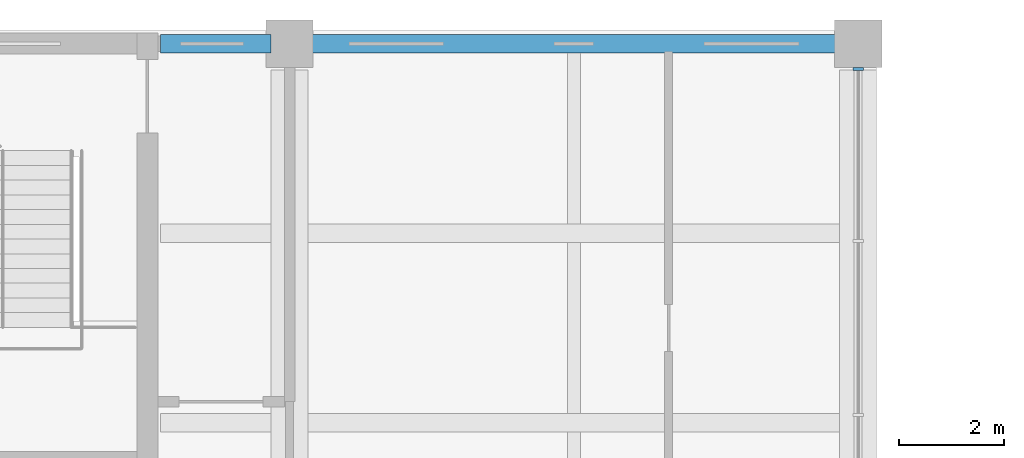
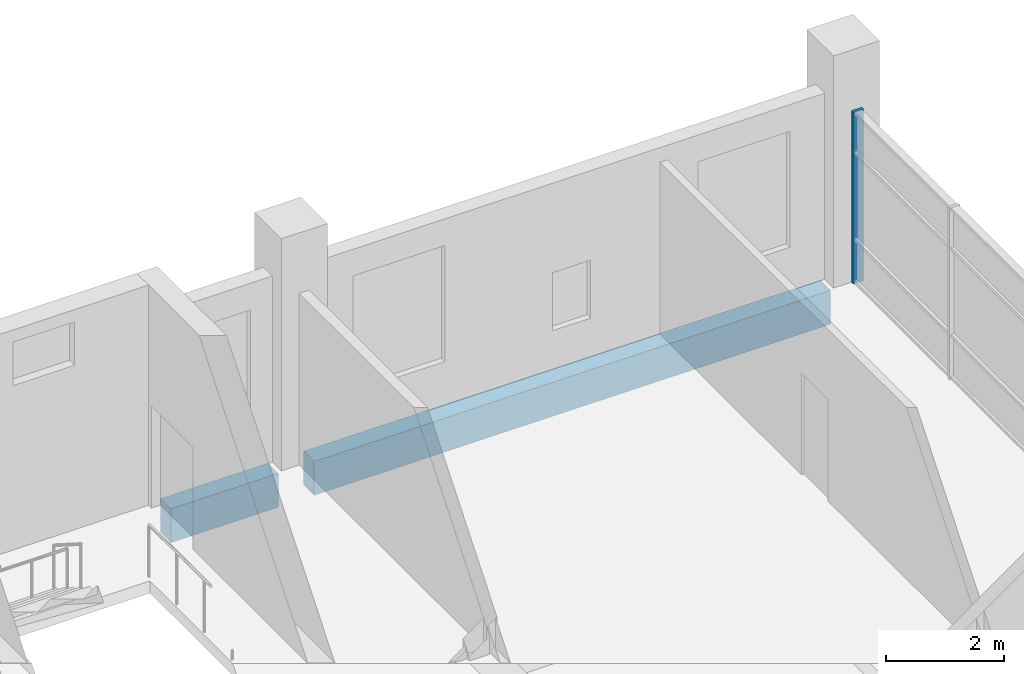
# One storey, part 17 of 32: 2 beams, 1 member, 1 element without a shape of its own.
"""IFC4 building model written with IfcOpenShell, lengths in metres."""

from ifc_helpers import new_model, si_unit, direction, frame, origin, origin_2d, place, context, subcontext, project, spatial, rectangle, extrude, material, layer, layer_set, material_profile, profile_set, type_object, element, aggregate, save


model = new_model("IFC4")

# Units and contexts
model_context = context("Model", 3, precision=1e-05, world=origin(), true_north=direction((0.0, 1.0)))
body_context = subcontext(model_context, "Body", "Model", "MODEL_VIEW")
ifc_project = project(units=[si_unit("LENGTHUNIT", "METRE"), si_unit("AREAUNIT", "SQUARE_METRE"), si_unit("VOLUMEUNIT", "CUBIC_METRE"), si_unit("PLANEANGLEUNIT", "RADIAN"), si_unit("MASSUNIT", "GRAM", prefix="KILO")], contexts=[model_context])

# Site, building, storey
site_placement = place(None, origin())
site = spatial("IfcSite", under=ifc_project, at=site_placement, CompositionType="ELEMENT")
building_placement = place(site_placement, origin())
building = spatial("IfcBuilding", under=site, at=building_placement, Name="Basin Gate Institute", CompositionType="ELEMENT")
storey_placement = place(building_placement, frame((0.0, 0.0, 41.39990234375)))
storey = spatial("IfcBuildingStorey", under=building, at=storey_placement, Name="L08", CompositionType="ELEMENT", Elevation=41.39990234375)

# Beams
ifc_material_1 = material(Name="Concrete 40 MPa", Category="concrete")
ifc_material_profile_1 = material_profile(ifc_material_1, rectangle(XDim=0.35009765625, YDim=0.699951171875, at=origin_2d()), Name="Beam B1 350 x 700")
ifc_profile_set_1 = profile_set([ifc_material_profile_1], Name="Concrete 40 MPa")
beam_type = type_object("IfcBeamType", Name="Beam B1 R120", PredefinedType="BEAM", material=ifc_profile_set_1)
beam_1_placement = place(storey_placement, frame((68.75, 99.89990234375, -0.599853515625), z_axis=(1.0, 0.0, 0.0), x_axis=(0.0, 1.0, 0.0)))
element("IfcBeam", 1, at=beam_1_placement, inside=storey, type_object=beam_type, material=ifc_profile_set_1, Name="BEAM/L08/W/EW/19", PredefinedType="BEAM", context=body_context, shape_type="SweptSolid", body=[
    extrude(rectangle(XDim=0.35009765625, YDim=0.699951171875, at=origin_2d()), origin(), (0.0, 0.0, 1.0), 10.10009765625),
])
beam_2_placement = place(storey_placement, frame((65.949951171875, 99.89990234375, -0.599853515625), z_axis=(1.0, 0.0, 0.0), x_axis=(0.0, 1.0, 0.0)))
element("IfcBeam", 2, at=beam_2_placement, inside=storey, type_object=beam_type, material=ifc_profile_set_1, Name="BEAM/L08/W/CORR/19", PredefinedType="BEAM", context=body_context, shape_type="SweptSolid", body=[
    extrude(rectangle(XDim=0.35009765625, YDim=0.699951171875, at=origin_2d()), origin(), (0.0, 0.0, 1.0), 2.10009765625),
])

# Curtain wall, member
ifc_material_2 = material(Name="Aluminium-framed glazing", Category="aluminium")
ifc_layer = layer(ifc_material_2, 0.199951171875)
ifc_layer_set = layer_set([ifc_layer], Name="Atrium curtain wall CW2")
curtain_wall_type = type_object("IfcCurtainWallType", Name="Atrium curtain wall CW2", PredefinedType="NOTDEFINED", material=ifc_layer_set)
curtain_wall_placement = place(storey_placement, origin())
curtain_wall = element("IfcCurtainWall", 3, at=curtain_wall_placement, inside=storey, type_object=curtain_wall_type, material=ifc_layer_set, Name="Atrium curtain wall W wing atrium bay 6 L08", PredefinedType="NOTDEFINED")
ifc_material_3 = material(Name="Aluminium", Category="aluminium")
ifc_material_profile_2 = material_profile(ifc_material_3, rectangle(XDim=0.199951171875, YDim=0.06005859375, at=origin_2d()), Name="Mullion MU2 200 x 60")
ifc_profile_set_2 = profile_set([ifc_material_profile_2], Name="Aluminium")
member_type = type_object("IfcMemberType", Name="Mullion MU2", PredefinedType="MULLION", material=ifc_profile_set_2)
member_placement = place(storey_placement, frame((79.199951171875, 99.419921875, 0.0), z_axis=(0.0, 0.0, 1.0), x_axis=(-1.0, 0.0, 0.0)))
member = element("IfcMember", 4, at=member_placement, type_object=member_type, material=ifc_profile_set_2, Name="CW2 mullion 4", PredefinedType="MULLION", context=body_context, shape_type="SweptSolid", body=[
    extrude(rectangle(XDim=0.199951171875, YDim=0.06005859375, at=origin_2d()), origin(), (0.0, 0.0, 1.0), 3.550048828125),
])
aggregate(curtain_wall, [member])

save(model, "model.ifc")
